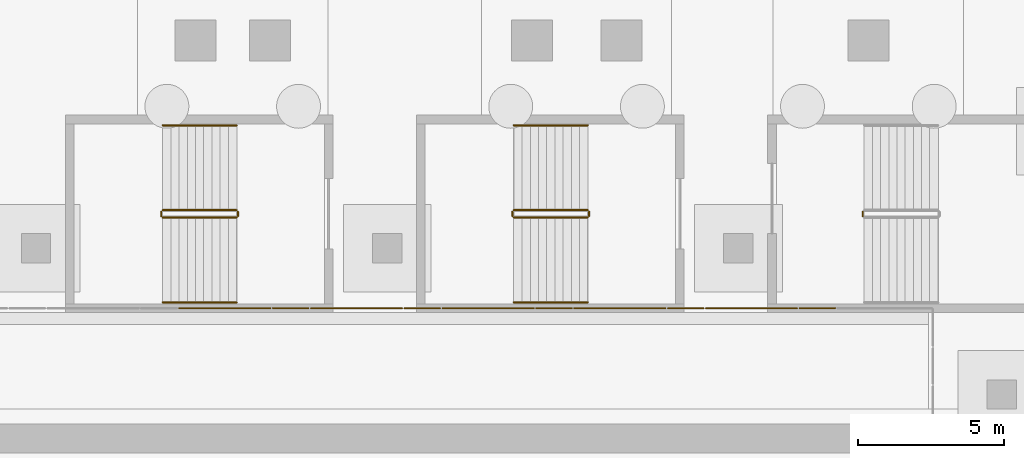
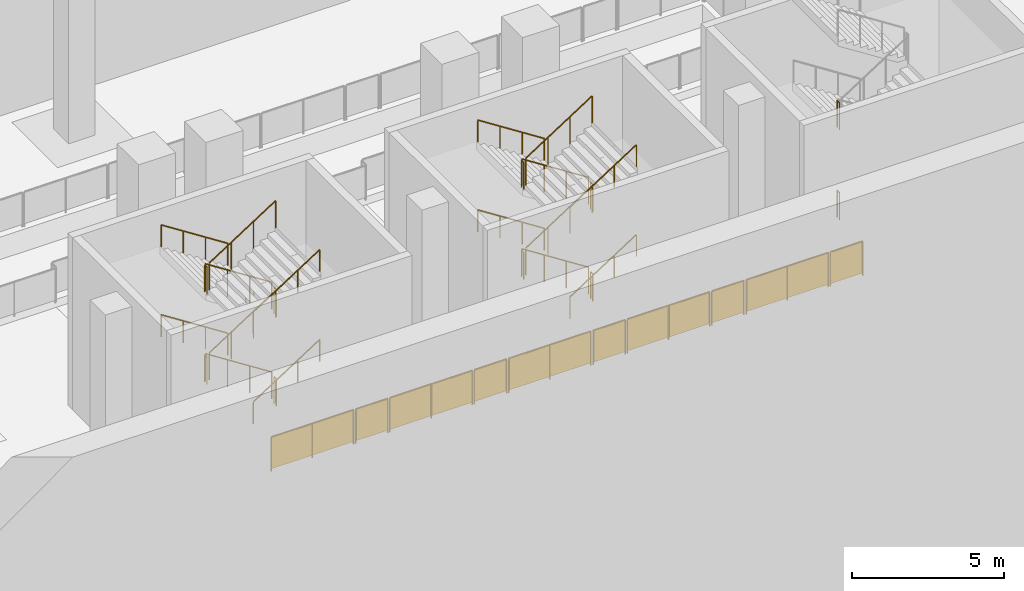
# One storey, part 12 of 15: 36 railings.
"""IFC4 building model written with IfcOpenShell, lengths in metres."""

from ifc_helpers import new_model, si_unit, direction, frame, origin, origin_2d, place, context, subcontext, project, spatial, rectangle, circle, extrude, material, type_object, element, save


model = new_model("IFC4")

# Units and contexts
model_context = context("Model", 3, precision=1e-05, world=origin(), true_north=direction((0.0, 1.0)))
body_context = subcontext(model_context, "Body", "Model", "MODEL_VIEW")
ifc_project = project(units=[si_unit("LENGTHUNIT", "METRE"), si_unit("AREAUNIT", "SQUARE_METRE"), si_unit("VOLUMEUNIT", "CUBIC_METRE"), si_unit("PLANEANGLEUNIT", "RADIAN"), si_unit("MASSUNIT", "GRAM", prefix="KILO")], contexts=[model_context])

# Site, building, storey
site_placement = place(None, origin())
site = spatial("IfcSite", under=ifc_project, at=site_placement, CompositionType="ELEMENT")
building_placement = place(site_placement, origin())
building = spatial("IfcBuilding", under=site, at=building_placement, Name="Wharfspan Tower", CompositionType="ELEMENT")
storey_placement = place(building_placement, frame((0.0, 0.0, -14.399902)))
storey = spatial("IfcBuildingStorey", under=building, at=storey_placement, Name="B2", CompositionType="ELEMENT", Elevation=-14.399902)

# Railings
ifc_material_1 = material(Name="Aluminium frame with laminated glass", Category="aluminium")
railing_type_1 = type_object("IfcRailingType", Name="Platform edge screen 1400", PredefinedType="GUARDRAIL", material=ifc_material_1)
for number, where, name in (
    (1, (56.889893, -31.050049, 0.0), "Platform edge screen"),
    (2, (61.389893, -31.050049, 0.0), "Platform edge screen"),
    (3, (65.889893, -31.050049, 0.0), "Platform edge screen"),
    (4, (70.389893, -31.050049, 0.0), "Platform edge screen"),
    (5, (74.889893, -31.050049, 0.0), "Platform edge screen"),
):
    element("IfcRailing", number, at=place(storey_placement, frame(where)), inside=storey, type_object=railing_type_1, Name=name, PredefinedType="GUARDRAIL", context=body_context, shape_type="SweptSolid", body=[
        extrude(circle(Radius=0.024902, at=origin_2d()), frame((0.0, 0.0, 1.375), z_axis=(1.0, 0.0, 0.0), x_axis=(0.0, 1.0, 0.0)), (0.0, 0.0, 1.0), 3.120117),
        extrude(circle(Radius=0.024902, at=origin_2d()), origin(), (0.0, 0.0, 1.0), 1.349854),
        extrude(circle(Radius=0.024902, at=origin_2d()), frame((1.560059, 0.0, 0.0)), (0.0, 0.0, 1.0), 1.349854),
        extrude(circle(Radius=0.024902, at=origin_2d()), frame((3.120117, 0.0, 0.0)), (0.0, 0.0, 1.0), 1.349854),
        extrude(rectangle(XDim=3.120117, YDim=0.02002, at=origin_2d()), frame((1.560059, 0.0, 0.100098), z_axis=(0.0, 0.0, 1.0), x_axis=(1.0, 0.0, 0.0)), (0.0, 0.0, 1.0), 1.249756),
    ])
railing_type_2 = type_object("IfcRailingType", Name="Platform screen door leaf 1400 (closed)", PredefinedType="GUARDRAIL", material=ifc_material_1)
for number, where, name in (
    (6, (60.090088, -31.050049, 0.0), "Platform screen door leaf (closed)"),
    (7, (64.590088, -31.050049, 0.0), "Platform screen door leaf (closed)"),
    (8, (69.090088, -31.050049, 0.0), "Platform screen door leaf (closed)"),
    (9, (73.590088, -31.050049, 0.0), "Platform screen door leaf (closed)"),
    (10, (78.090088, -31.050049, 0.0), "Platform screen door leaf (closed)"),
):
    element("IfcRailing", number, at=place(storey_placement, frame(where)), inside=storey, type_object=railing_type_2, Name=name, PredefinedType="GUARDRAIL", context=body_context, shape_type="SweptSolid", body=[
        extrude(circle(Radius=0.024902, at=origin_2d()), frame((0.0, 0.0, 1.375), z_axis=(1.0, 0.0, 0.0), x_axis=(0.0, 1.0, 0.0)), (0.0, 0.0, 1.0), 1.219971),
        extrude(circle(Radius=0.024902, at=origin_2d()), origin(), (0.0, 0.0, 1.0), 1.349854),
        extrude(circle(Radius=0.024902, at=origin_2d()), frame((1.219971, 0.0, 0.0)), (0.0, 0.0, 1.0), 1.349854),
        extrude(rectangle(XDim=1.219971, YDim=0.02002, at=origin_2d()), frame((0.609863, 0.0, 0.100098), z_axis=(0.0, 0.0, 1.0), x_axis=(1.0, 0.0, 0.0)), (0.0, 0.0, 1.0), 1.249756),
    ])
ifc_material_2 = material(Name="Steel S355J2", Category="steel")
railing_type_3 = type_object("IfcRailingType", Name="Podium guard 1100", PredefinedType="GUARDRAIL", material=ifc_material_2)
railing_1_placement = place(storey_placement, frame((58.850098, -27.699951, 0.179932)))
element("IfcRailing", 11, at=railing_1_placement, inside=storey, type_object=railing_type_3, Name="B2 SB3 stair guard 1", PredefinedType="GUARDRAIL", context=body_context, shape_type="SweptSolid", body=[
    extrude(circle(Radius=0.023926, at=origin_2d()), frame((0.0, 0.0, 1.076172), z_axis=(-0.8412, 0.0, 0.540725), x_axis=(0.0, -1.0, 0.0)), (0.0, 0.0, 1.0), 2.99585),
    extrude(circle(Radius=0.020996, at=origin_2d()), origin(), (0.0, 0.0, 1.0), 1.052002),
    extrude(circle(Radius=0.020996, at=origin_2d()), frame((-0.840088, 0.0, 0.540039)), (0.0, 0.0, 1.0), 1.052002),
    extrude(circle(Radius=0.020996, at=origin_2d()), frame((-1.679932, 0.0, 1.079834)), (0.0, 0.0, 1.0), 1.052002),
    extrude(circle(Radius=0.020996, at=origin_2d()), frame((-2.52002, 0.0, 1.619873)), (0.0, 0.0, 1.0), 1.052002),
])
railing_2_placement = place(storey_placement, frame((56.280029, -27.75, 1.799805)))
element("IfcRailing", 12, at=railing_2_placement, inside=storey, type_object=railing_type_3, Name="B2 SB3 stair guard 2", PredefinedType="GUARDRAIL", context=body_context, shape_type="SweptSolid", body=[
    extrude(circle(Radius=0.023926, at=origin_2d()), frame((0.0, 0.0, 1.076172), z_axis=(0.0, -1.0, 0.0), x_axis=(1.0, 0.0, 0.0)), (0.0, 0.0, 1.0), 0.149902),
    extrude(circle(Radius=0.020996, at=origin_2d()), origin(), (0.0, 0.0, 1.0), 1.052002),
    extrude(circle(Radius=0.020996, at=origin_2d()), frame((0.0, -0.149902, 0.0)), (0.0, 0.0, 1.0), 1.052002),
])
railing_3_placement = place(storey_placement, frame((56.330078, -27.949951, 1.97998)))
element("IfcRailing", 13, at=railing_3_placement, inside=storey, type_object=railing_type_3, Name="B2 SB3 stair guard 3", PredefinedType="GUARDRAIL", context=body_context, shape_type="SweptSolid", body=[
    extrude(circle(Radius=0.023926, at=origin_2d()), frame((0.0, 0.0, 1.076172), z_axis=(0.8412, 0.0, 0.540725), x_axis=(0.0, 1.0, 0.0)), (0.0, 0.0, 1.0), 2.99585),
    extrude(circle(Radius=0.020996, at=origin_2d()), origin(), (0.0, 0.0, 1.0), 1.052002),
    extrude(circle(Radius=0.020996, at=origin_2d()), frame((0.840088, 0.0, 0.540039)), (0.0, 0.0, 1.0), 1.052002),
    extrude(circle(Radius=0.020996, at=origin_2d()), frame((1.679932, 0.0, 1.079834)), (0.0, 0.0, 1.0), 1.052002),
    extrude(circle(Radius=0.020996, at=origin_2d()), frame((2.52002, 0.0, 1.619873)), (0.0, 0.0, 1.0), 1.052002),
])
railing_4_placement = place(storey_placement, frame((58.899902, -27.75, 3.599854)))
element("IfcRailing", 14, at=railing_4_placement, inside=storey, type_object=railing_type_3, Name="B2 SB3 stair guard 4", PredefinedType="GUARDRAIL", context=body_context, shape_type="SweptSolid", body=[
    extrude(circle(Radius=0.023926, at=origin_2d()), frame((0.0, 0.0, 1.076172), z_axis=(0.0, -1.0, 0.0), x_axis=(1.0, 0.0, 0.0)), (0.0, 0.0, 1.0), 0.149902),
    extrude(circle(Radius=0.020996, at=origin_2d()), origin(), (0.0, 0.0, 1.0), 1.052002),
    extrude(circle(Radius=0.020996, at=origin_2d()), frame((0.0, -0.149902, 0.0)), (0.0, 0.0, 1.0), 1.052002),
])
railing_5_placement = place(storey_placement, frame((58.850098, -27.699951, 3.779785)))
element("IfcRailing", 15, at=railing_5_placement, inside=storey, type_object=railing_type_3, Name="B2 SB3 stair guard 5", PredefinedType="GUARDRAIL", context=body_context, shape_type="SweptSolid", body=[
    extrude(circle(Radius=0.023926, at=origin_2d()), frame((0.0, 0.0, 1.076172), z_axis=(-0.841163, 0.0, 0.540782), x_axis=(0.0, -1.0, 0.0)), (0.0, 0.0, 1.0), 2.99585),
    extrude(circle(Radius=0.020996, at=origin_2d()), origin(), (0.0, 0.0, 1.0), 1.052002),
    extrude(circle(Radius=0.020996, at=origin_2d()), frame((-0.840088, 0.0, 0.540039)), (0.0, 0.0, 1.0), 1.052002),
    extrude(circle(Radius=0.020996, at=origin_2d()), frame((-1.679932, 0.0, 1.080078)), (0.0, 0.0, 1.0), 1.052002),
    extrude(circle(Radius=0.020996, at=origin_2d()), frame((-2.52002, 0.0, 1.620117)), (0.0, 0.0, 1.0), 1.052002),
])
railing_6_placement = place(storey_placement, frame((56.280029, -27.75, 5.399902)))
element("IfcRailing", 16, at=railing_6_placement, inside=storey, type_object=railing_type_3, Name="B2 SB3 stair guard 6", PredefinedType="GUARDRAIL", context=body_context, shape_type="SweptSolid", body=[
    extrude(circle(Radius=0.023926, at=origin_2d()), frame((0.0, 0.0, 1.076172), z_axis=(0.0, -1.0, 0.0), x_axis=(1.0, 0.0, 0.0)), (0.0, 0.0, 1.0), 0.149902),
    extrude(circle(Radius=0.020996, at=origin_2d()), origin(), (0.0, 0.0, 1.0), 1.052002),
    extrude(circle(Radius=0.020996, at=origin_2d()), frame((0.0, -0.149902, 0.0)), (0.0, 0.0, 1.0), 1.052002),
])
railing_7_placement = place(storey_placement, frame((56.330078, -27.949951, 5.579834)))
element("IfcRailing", 17, at=railing_7_placement, inside=storey, type_object=railing_type_3, Name="B2 SB3 stair guard 7", PredefinedType="GUARDRAIL", context=body_context, shape_type="SweptSolid", body=[
    extrude(circle(Radius=0.023926, at=origin_2d()), frame((0.0, 0.0, 1.076172), z_axis=(0.841163, 0.0, 0.540782), x_axis=(0.0, 1.0, 0.0)), (0.0, 0.0, 1.0), 2.99585),
    extrude(circle(Radius=0.020996, at=origin_2d()), origin(), (0.0, 0.0, 1.0), 1.052002),
    extrude(circle(Radius=0.020996, at=origin_2d()), frame((0.840088, 0.0, 0.540039)), (0.0, 0.0, 1.0), 1.052002),
    extrude(circle(Radius=0.020996, at=origin_2d()), frame((1.679932, 0.0, 1.080078)), (0.0, 0.0, 1.0), 1.052002),
    extrude(circle(Radius=0.020996, at=origin_2d()), frame((2.52002, 0.0, 1.620117)), (0.0, 0.0, 1.0), 1.052002),
])
railing_8_placement = place(storey_placement, frame((58.899902, -27.75, 0.0)))
element("IfcRailing", 18, at=railing_8_placement, inside=storey, type_object=railing_type_3, Name="B2 SB3 stair guard 8", PredefinedType="GUARDRAIL", context=body_context, shape_type="SweptSolid", body=[
    extrude(circle(Radius=0.023926, at=origin_2d()), frame((0.0, 0.0, 1.076172), z_axis=(0.0, -1.0, 0.0), x_axis=(1.0, 0.0, 0.0)), (0.0, 0.0, 1.0), 0.149902),
    extrude(circle(Radius=0.020996, at=origin_2d()), origin(), (0.0, 0.0, 1.0), 1.052002),
    extrude(circle(Radius=0.020996, at=origin_2d()), frame((0.0, -0.149902, 0.0)), (0.0, 0.0, 1.0), 1.052002),
])
railing_9_placement = place(storey_placement, frame((70.850098, -27.699951, 0.179932)))
element("IfcRailing", 19, at=railing_9_placement, inside=storey, type_object=railing_type_3, Name="B2 SB4 stair guard 1", PredefinedType="GUARDRAIL", context=body_context, shape_type="SweptSolid", body=[
    extrude(circle(Radius=0.023926, at=origin_2d()), frame((0.0, 0.0, 1.076172), z_axis=(-0.8412, 0.0, 0.540725), x_axis=(0.0, -1.0, 0.0)), (0.0, 0.0, 1.0), 2.99585),
    extrude(circle(Radius=0.020996, at=origin_2d()), origin(), (0.0, 0.0, 1.0), 1.052002),
    extrude(circle(Radius=0.020996, at=origin_2d()), frame((-0.840088, 0.0, 0.540039)), (0.0, 0.0, 1.0), 1.052002),
    extrude(circle(Radius=0.020996, at=origin_2d()), frame((-1.679932, 0.0, 1.079834)), (0.0, 0.0, 1.0), 1.052002),
    extrude(circle(Radius=0.020996, at=origin_2d()), frame((-2.52002, 0.0, 1.619873)), (0.0, 0.0, 1.0), 1.052002),
])
railing_10_placement = place(storey_placement, frame((68.280029, -27.75, 1.799805)))
element("IfcRailing", 20, at=railing_10_placement, inside=storey, type_object=railing_type_3, Name="B2 SB4 stair guard 2", PredefinedType="GUARDRAIL", context=body_context, shape_type="SweptSolid", body=[
    extrude(circle(Radius=0.023926, at=origin_2d()), frame((0.0, 0.0, 1.076172), z_axis=(0.0, -1.0, 0.0), x_axis=(1.0, 0.0, 0.0)), (0.0, 0.0, 1.0), 0.149902),
    extrude(circle(Radius=0.020996, at=origin_2d()), origin(), (0.0, 0.0, 1.0), 1.052002),
    extrude(circle(Radius=0.020996, at=origin_2d()), frame((0.0, -0.149902, 0.0)), (0.0, 0.0, 1.0), 1.052002),
])
railing_11_placement = place(storey_placement, frame((68.330078, -27.949951, 1.97998)))
element("IfcRailing", 21, at=railing_11_placement, inside=storey, type_object=railing_type_3, Name="B2 SB4 stair guard 3", PredefinedType="GUARDRAIL", context=body_context, shape_type="SweptSolid", body=[
    extrude(circle(Radius=0.023926, at=origin_2d()), frame((0.0, 0.0, 1.076172), z_axis=(0.8412, 0.0, 0.540725), x_axis=(0.0, 1.0, 0.0)), (0.0, 0.0, 1.0), 2.99585),
    extrude(circle(Radius=0.020996, at=origin_2d()), origin(), (0.0, 0.0, 1.0), 1.052002),
    extrude(circle(Radius=0.020996, at=origin_2d()), frame((0.840088, 0.0, 0.540039)), (0.0, 0.0, 1.0), 1.052002),
    extrude(circle(Radius=0.020996, at=origin_2d()), frame((1.679932, 0.0, 1.079834)), (0.0, 0.0, 1.0), 1.052002),
    extrude(circle(Radius=0.020996, at=origin_2d()), frame((2.52002, 0.0, 1.619873)), (0.0, 0.0, 1.0), 1.052002),
])
railing_12_placement = place(storey_placement, frame((70.899902, -27.75, 3.599854)))
element("IfcRailing", 22, at=railing_12_placement, inside=storey, type_object=railing_type_3, Name="B2 SB4 stair guard 4", PredefinedType="GUARDRAIL", context=body_context, shape_type="SweptSolid", body=[
    extrude(circle(Radius=0.023926, at=origin_2d()), frame((0.0, 0.0, 1.076172), z_axis=(0.0, -1.0, 0.0), x_axis=(1.0, 0.0, 0.0)), (0.0, 0.0, 1.0), 0.149902),
    extrude(circle(Radius=0.020996, at=origin_2d()), origin(), (0.0, 0.0, 1.0), 1.052002),
    extrude(circle(Radius=0.020996, at=origin_2d()), frame((0.0, -0.149902, 0.0)), (0.0, 0.0, 1.0), 1.052002),
])
railing_13_placement = place(storey_placement, frame((70.850098, -27.699951, 3.779785)))
element("IfcRailing", 23, at=railing_13_placement, inside=storey, type_object=railing_type_3, Name="B2 SB4 stair guard 5", PredefinedType="GUARDRAIL", context=body_context, shape_type="SweptSolid", body=[
    extrude(circle(Radius=0.023926, at=origin_2d()), frame((0.0, 0.0, 1.076172), z_axis=(-0.841163, 0.0, 0.540782), x_axis=(0.0, -1.0, 0.0)), (0.0, 0.0, 1.0), 2.99585),
    extrude(circle(Radius=0.020996, at=origin_2d()), origin(), (0.0, 0.0, 1.0), 1.052002),
    extrude(circle(Radius=0.020996, at=origin_2d()), frame((-0.840088, 0.0, 0.540039)), (0.0, 0.0, 1.0), 1.052002),
    extrude(circle(Radius=0.020996, at=origin_2d()), frame((-1.679932, 0.0, 1.080078)), (0.0, 0.0, 1.0), 1.052002),
    extrude(circle(Radius=0.020996, at=origin_2d()), frame((-2.52002, 0.0, 1.620117)), (0.0, 0.0, 1.0), 1.052002),
])
railing_14_placement = place(storey_placement, frame((68.280029, -27.75, 5.399902)))
element("IfcRailing", 24, at=railing_14_placement, inside=storey, type_object=railing_type_3, Name="B2 SB4 stair guard 6", PredefinedType="GUARDRAIL", context=body_context, shape_type="SweptSolid", body=[
    extrude(circle(Radius=0.023926, at=origin_2d()), frame((0.0, 0.0, 1.076172), z_axis=(0.0, -1.0, 0.0), x_axis=(1.0, 0.0, 0.0)), (0.0, 0.0, 1.0), 0.149902),
    extrude(circle(Radius=0.020996, at=origin_2d()), origin(), (0.0, 0.0, 1.0), 1.052002),
    extrude(circle(Radius=0.020996, at=origin_2d()), frame((0.0, -0.149902, 0.0)), (0.0, 0.0, 1.0), 1.052002),
])
railing_15_placement = place(storey_placement, frame((68.330078, -27.949951, 5.579834)))
element("IfcRailing", 25, at=railing_15_placement, inside=storey, type_object=railing_type_3, Name="B2 SB4 stair guard 7", PredefinedType="GUARDRAIL", context=body_context, shape_type="SweptSolid", body=[
    extrude(circle(Radius=0.023926, at=origin_2d()), frame((0.0, 0.0, 1.076172), z_axis=(0.841163, 0.0, 0.540782), x_axis=(0.0, 1.0, 0.0)), (0.0, 0.0, 1.0), 2.99585),
    extrude(circle(Radius=0.020996, at=origin_2d()), origin(), (0.0, 0.0, 1.0), 1.052002),
    extrude(circle(Radius=0.020996, at=origin_2d()), frame((0.840088, 0.0, 0.540039)), (0.0, 0.0, 1.0), 1.052002),
    extrude(circle(Radius=0.020996, at=origin_2d()), frame((1.679932, 0.0, 1.080078)), (0.0, 0.0, 1.0), 1.052002),
    extrude(circle(Radius=0.020996, at=origin_2d()), frame((2.52002, 0.0, 1.620117)), (0.0, 0.0, 1.0), 1.052002),
])
railing_16_placement = place(storey_placement, frame((70.899902, -27.75, 0.0)))
element("IfcRailing", 26, at=railing_16_placement, inside=storey, type_object=railing_type_3, Name="B2 SB4 stair guard 8", PredefinedType="GUARDRAIL", context=body_context, shape_type="SweptSolid", body=[
    extrude(circle(Radius=0.023926, at=origin_2d()), frame((0.0, 0.0, 1.076172), z_axis=(0.0, -1.0, 0.0), x_axis=(1.0, 0.0, 0.0)), (0.0, 0.0, 1.0), 0.149902),
    extrude(circle(Radius=0.020996, at=origin_2d()), origin(), (0.0, 0.0, 1.0), 1.052002),
    extrude(circle(Radius=0.020996, at=origin_2d()), frame((0.0, -0.149902, 0.0)), (0.0, 0.0, 1.0), 1.052002),
])
for number, where, name in (
    (27, (80.25, -27.899902, 3.599854), "B2 SB5 stair guard 4"),
    (28, (80.25, -27.899902, 0.0), "B2 SB5 stair guard 8"),
):
    element("IfcRailing", number, at=place(storey_placement, frame(where)), inside=storey, type_object=railing_type_3, Name=name, PredefinedType="GUARDRAIL", context=body_context, shape_type="SweptSolid", body=[
        extrude(circle(Radius=0.023926, at=origin_2d()), frame((0.0, 0.0, 1.076172), z_axis=(0.0, 1.0, 0.0), x_axis=(-1.0, 0.0, 0.0)), (0.0, 0.0, 1.0), 0.149902),
        extrude(circle(Radius=0.020996, at=origin_2d()), origin(), (0.0, 0.0, 1.0), 1.052002),
        extrude(circle(Radius=0.020996, at=origin_2d()), frame((0.0, 0.149902, 0.0)), (0.0, 0.0, 1.0), 1.052002),
    ])
railing_type_4 = type_object("IfcRailingType", Name="Podium stair handrail 900", PredefinedType="HANDRAIL", material=ifc_material_2)
railing_17_placement = place(storey_placement, frame((58.850098, -24.800049, 0.179932)))
element("IfcRailing", 29, at=railing_17_placement, inside=storey, type_object=railing_type_4, Name="B2 SB3 stair handrail 1", PredefinedType="HANDRAIL", context=body_context, shape_type="SweptSolid", body=[
    extrude(circle(Radius=0.023926, at=origin_2d()), frame((0.0, 0.0, 0.875977), z_axis=(-0.8412, 0.0, 0.540725), x_axis=(0.0, -1.0, 0.0)), (0.0, 0.0, 1.0), 2.99585),
    extrude(circle(Radius=0.020996, at=origin_2d()), origin(), (0.0, 0.0, 1.0), 0.851807),
    extrude(circle(Radius=0.020996, at=origin_2d()), frame((-0.840088, 0.0, 0.540039)), (0.0, 0.0, 1.0), 0.851807),
    extrude(circle(Radius=0.020996, at=origin_2d()), frame((-1.679932, 0.0, 1.079834)), (0.0, 0.0, 1.0), 0.851807),
    extrude(circle(Radius=0.020996, at=origin_2d()), frame((-2.52002, 0.0, 1.619873)), (0.0, 0.0, 1.0), 0.851807),
])
railing_18_placement = place(storey_placement, frame((56.330078, -30.850098, 1.97998)))
element("IfcRailing", 30, at=railing_18_placement, inside=storey, type_object=railing_type_4, Name="B2 SB3 stair handrail 2", PredefinedType="HANDRAIL", context=body_context, shape_type="SweptSolid", body=[
    extrude(circle(Radius=0.023926, at=origin_2d()), frame((0.0, 0.0, 0.875977), z_axis=(0.8412, 0.0, 0.540725), x_axis=(0.0, 1.0, 0.0)), (0.0, 0.0, 1.0), 2.99585),
    extrude(circle(Radius=0.020996, at=origin_2d()), origin(), (0.0, 0.0, 1.0), 0.851807),
    extrude(circle(Radius=0.020996, at=origin_2d()), frame((0.840088, 0.0, 0.540039)), (0.0, 0.0, 1.0), 0.851807),
    extrude(circle(Radius=0.020996, at=origin_2d()), frame((1.679932, 0.0, 1.079834)), (0.0, 0.0, 1.0), 0.851807),
    extrude(circle(Radius=0.020996, at=origin_2d()), frame((2.52002, 0.0, 1.619873)), (0.0, 0.0, 1.0), 0.851807),
])
railing_19_placement = place(storey_placement, frame((58.850098, -24.800049, 3.779785)))
element("IfcRailing", 31, at=railing_19_placement, inside=storey, type_object=railing_type_4, Name="B2 SB3 stair handrail 3", PredefinedType="HANDRAIL", context=body_context, shape_type="SweptSolid", body=[
    extrude(circle(Radius=0.023926, at=origin_2d()), frame((0.0, 0.0, 0.875977), z_axis=(-0.841163, 0.0, 0.540782), x_axis=(0.0, -1.0, 0.0)), (0.0, 0.0, 1.0), 2.99585),
    extrude(circle(Radius=0.020996, at=origin_2d()), origin(), (0.0, 0.0, 1.0), 0.851807),
    extrude(circle(Radius=0.020996, at=origin_2d()), frame((-0.840088, 0.0, 0.540039)), (0.0, 0.0, 1.0), 0.851807),
    extrude(circle(Radius=0.020996, at=origin_2d()), frame((-1.679932, 0.0, 1.080078)), (0.0, 0.0, 1.0), 0.851807),
    extrude(circle(Radius=0.020996, at=origin_2d()), frame((-2.52002, 0.0, 1.620117)), (0.0, 0.0, 1.0), 0.851807),
])
railing_20_placement = place(storey_placement, frame((56.330078, -30.850098, 5.579834)))
element("IfcRailing", 32, at=railing_20_placement, inside=storey, type_object=railing_type_4, Name="B2 SB3 stair handrail 4", PredefinedType="HANDRAIL", context=body_context, shape_type="SweptSolid", body=[
    extrude(circle(Radius=0.023926, at=origin_2d()), frame((0.0, 0.0, 0.875977), z_axis=(0.841163, 0.0, 0.540782), x_axis=(0.0, 1.0, 0.0)), (0.0, 0.0, 1.0), 2.99585),
    extrude(circle(Radius=0.020996, at=origin_2d()), origin(), (0.0, 0.0, 1.0), 0.851807),
    extrude(circle(Radius=0.020996, at=origin_2d()), frame((0.840088, 0.0, 0.540039)), (0.0, 0.0, 1.0), 0.851807),
    extrude(circle(Radius=0.020996, at=origin_2d()), frame((1.679932, 0.0, 1.080078)), (0.0, 0.0, 1.0), 0.851807),
    extrude(circle(Radius=0.020996, at=origin_2d()), frame((2.52002, 0.0, 1.620117)), (0.0, 0.0, 1.0), 0.851807),
])
railing_21_placement = place(storey_placement, frame((70.850098, -24.800049, 0.179932)))
element("IfcRailing", 33, at=railing_21_placement, inside=storey, type_object=railing_type_4, Name="B2 SB4 stair handrail 1", PredefinedType="HANDRAIL", context=body_context, shape_type="SweptSolid", body=[
    extrude(circle(Radius=0.023926, at=origin_2d()), frame((0.0, 0.0, 0.875977), z_axis=(-0.8412, 0.0, 0.540725), x_axis=(0.0, -1.0, 0.0)), (0.0, 0.0, 1.0), 2.99585),
    extrude(circle(Radius=0.020996, at=origin_2d()), origin(), (0.0, 0.0, 1.0), 0.851807),
    extrude(circle(Radius=0.020996, at=origin_2d()), frame((-0.840088, 0.0, 0.540039)), (0.0, 0.0, 1.0), 0.851807),
    extrude(circle(Radius=0.020996, at=origin_2d()), frame((-1.679932, 0.0, 1.079834)), (0.0, 0.0, 1.0), 0.851807),
    extrude(circle(Radius=0.020996, at=origin_2d()), frame((-2.52002, 0.0, 1.619873)), (0.0, 0.0, 1.0), 0.851807),
])
railing_22_placement = place(storey_placement, frame((68.330078, -30.850098, 1.97998)))
element("IfcRailing", 34, at=railing_22_placement, inside=storey, type_object=railing_type_4, Name="B2 SB4 stair handrail 2", PredefinedType="HANDRAIL", context=body_context, shape_type="SweptSolid", body=[
    extrude(circle(Radius=0.023926, at=origin_2d()), frame((0.0, 0.0, 0.875977), z_axis=(0.8412, 0.0, 0.540725), x_axis=(0.0, 1.0, 0.0)), (0.0, 0.0, 1.0), 2.99585),
    extrude(circle(Radius=0.020996, at=origin_2d()), origin(), (0.0, 0.0, 1.0), 0.851807),
    extrude(circle(Radius=0.020996, at=origin_2d()), frame((0.840088, 0.0, 0.540039)), (0.0, 0.0, 1.0), 0.851807),
    extrude(circle(Radius=0.020996, at=origin_2d()), frame((1.679932, 0.0, 1.079834)), (0.0, 0.0, 1.0), 0.851807),
    extrude(circle(Radius=0.020996, at=origin_2d()), frame((2.52002, 0.0, 1.619873)), (0.0, 0.0, 1.0), 0.851807),
])
railing_23_placement = place(storey_placement, frame((70.850098, -24.800049, 3.779785)))
element("IfcRailing", 35, at=railing_23_placement, inside=storey, type_object=railing_type_4, Name="B2 SB4 stair handrail 3", PredefinedType="HANDRAIL", context=body_context, shape_type="SweptSolid", body=[
    extrude(circle(Radius=0.023926, at=origin_2d()), frame((0.0, 0.0, 0.875977), z_axis=(-0.841163, 0.0, 0.540782), x_axis=(0.0, -1.0, 0.0)), (0.0, 0.0, 1.0), 2.99585),
    extrude(circle(Radius=0.020996, at=origin_2d()), origin(), (0.0, 0.0, 1.0), 0.851807),
    extrude(circle(Radius=0.020996, at=origin_2d()), frame((-0.840088, 0.0, 0.540039)), (0.0, 0.0, 1.0), 0.851807),
    extrude(circle(Radius=0.020996, at=origin_2d()), frame((-1.679932, 0.0, 1.080078)), (0.0, 0.0, 1.0), 0.851807),
    extrude(circle(Radius=0.020996, at=origin_2d()), frame((-2.52002, 0.0, 1.620117)), (0.0, 0.0, 1.0), 0.851807),
])
railing_24_placement = place(storey_placement, frame((68.330078, -30.850098, 5.579834)))
element("IfcRailing", 36, at=railing_24_placement, inside=storey, type_object=railing_type_4, Name="B2 SB4 stair handrail 4", PredefinedType="HANDRAIL", context=body_context, shape_type="SweptSolid", body=[
    extrude(circle(Radius=0.023926, at=origin_2d()), frame((0.0, 0.0, 0.875977), z_axis=(0.841163, 0.0, 0.540782), x_axis=(0.0, 1.0, 0.0)), (0.0, 0.0, 1.0), 2.99585),
    extrude(circle(Radius=0.020996, at=origin_2d()), origin(), (0.0, 0.0, 1.0), 0.851807),
    extrude(circle(Radius=0.020996, at=origin_2d()), frame((0.840088, 0.0, 0.540039)), (0.0, 0.0, 1.0), 0.851807),
    extrude(circle(Radius=0.020996, at=origin_2d()), frame((1.679932, 0.0, 1.080078)), (0.0, 0.0, 1.0), 0.851807),
    extrude(circle(Radius=0.020996, at=origin_2d()), frame((2.52002, 0.0, 1.620117)), (0.0, 0.0, 1.0), 0.851807),
])

save(model, "model.ifc")
